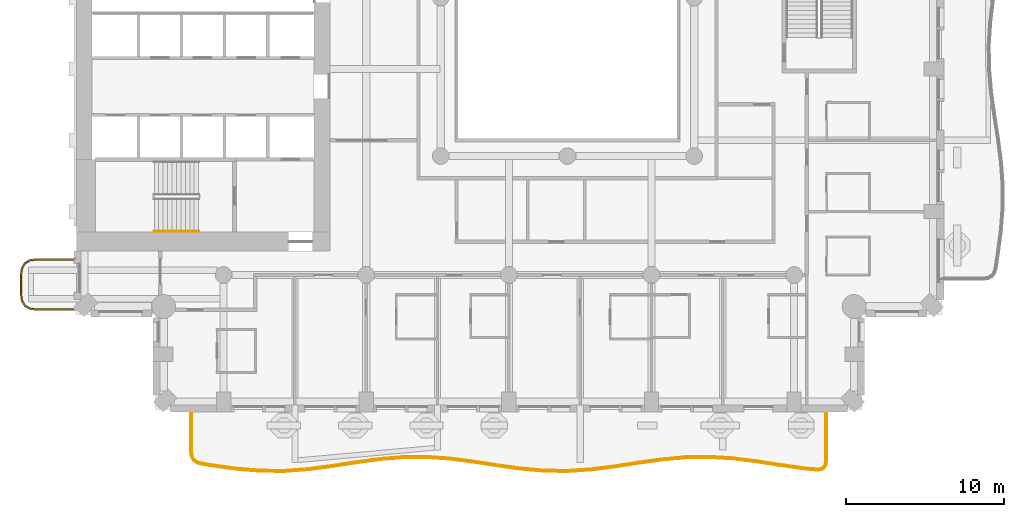
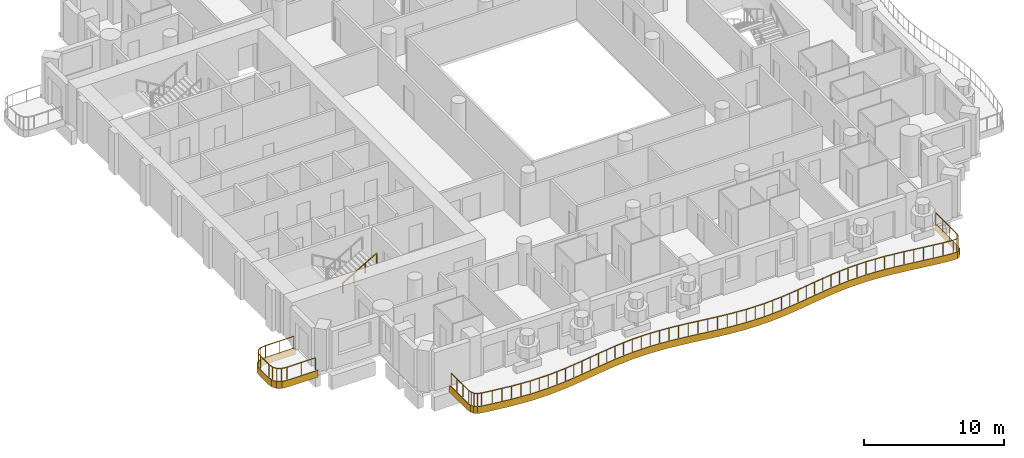
# One storey, part 13 of 20: 3 railings, 2 coverings.
"""IFC4 building model written with IfcOpenShell, lengths in metres."""

import ifcopenshell
import ifcopenshell.guid

model = None  # the IFC model being written
_history = None  # IfcOwnerHistory: only IFC2X3 demands one
_inside = {}  # id of a spatial element -> (the spatial element, [elements in it])
_under = {}  # id of a project, library or spatial element -> (it, [spatial elements below it])
_declared = {}  # id of a project -> (the project, [libraries it declares])
_typed = {}  # id of a type object -> (the type object, [elements of that type])
_made_of = {}  # id of a material, layer set ... -> (it, [elements and type objects made of it])


def new_model(schema):
    """Start an empty IFC model of exactly this schema.

    Asked for "IFC4X3", IfcOpenShell would pick the latest addendum, in which some entities
    have other attributes; the version numbers below select the first issue.
    IFC2X3 requires an IfcOwnerHistory on every rooted entity: one is made here for all.
    """
    global model, _history
    if schema == "IFC4X3":
        model = ifcopenshell.file(schema_version=(4, 3, 0, 0))
    else:
        model = ifcopenshell.file(schema=schema)
    _inside.clear()
    _under.clear()
    _declared.clear()
    _typed.clear()
    _made_of.clear()
    _history = None
    if model.schema == "IFC2X3":
        org = make("IfcOrganization", Name="unknown")
        user = make(
            "IfcPersonAndOrganization",
            ThePerson=make("IfcPerson", FamilyName="unknown"),
            TheOrganization=org,
        )
        app = make(
            "IfcApplication",
            ApplicationDeveloper=org,
            Version="unknown",
            ApplicationFullName="unknown",
            ApplicationIdentifier="unknown",
        )
        _history = make(
            "IfcOwnerHistory",
            OwningUser=user,
            OwningApplication=app,
            ChangeAction="ADDED",
            CreationDate=0,
        )
    return model


def make(cls, **values):
    """One entity of the class cls with the attributes given. An attribute that is None is left unset."""
    return model.create_entity(
        cls, **{name: value for name, value in values.items() if value is not None}
    )


def rooted(cls, **values):
    """An entity with a GlobalId (a new one), such as an element, a storey or a relation."""
    return make(cls, GlobalId=ifcopenshell.guid.new(), OwnerHistory=_history, **values)


def si_unit(unit_type, name, prefix=None):
    """IfcSIUnit, for example si_unit("LENGTHUNIT", "METRE", prefix="MILLI")."""
    return make("IfcSIUnit", UnitType=unit_type, Prefix=prefix, Name=name)


def assignment(units):
    """IfcUnitAssignment: the units of a project."""
    return None if units is None else make("IfcUnitAssignment", Units=units)


def point(xyz):
    """IfcCartesianPoint."""
    return None if xyz is None else make("IfcCartesianPoint", Coordinates=xyz)


def direction(xyz):
    """IfcDirection."""
    return None if xyz is None else make("IfcDirection", DirectionRatios=xyz)


def frame(location, z_axis=None, x_axis=None):
    """IfcAxis2Placement3D, a coordinate frame: its origin and axes. An axis left out is left unset."""
    return make(
        "IfcAxis2Placement3D",
        Location=point(location),
        Axis=direction(z_axis),
        RefDirection=direction(x_axis),
    )


def frame_2d(location, x_axis=None):
    """IfcAxis2Placement2D, a coordinate frame in the plane: its origin and x axis."""
    return make(
        "IfcAxis2Placement2D", Location=point(location), RefDirection=direction(x_axis)
    )


def origin():
    """The frame at (0, 0, 0) with its axes left unset."""
    return frame((0.0, 0.0, 0.0))


def origin_2d():
    """The frame at (0, 0) in the plane with its x axis left unset."""
    return frame_2d((0.0, 0.0))


def place(relative_to, where):
    """IfcLocalPlacement: puts the frame where relative to a parent placement (None: the world)."""
    return make(
        "IfcLocalPlacement", PlacementRelTo=relative_to, RelativePlacement=where
    )


def context(
    kind, dimensions, precision=None, world=None, true_north=None, identifier=None
):
    """IfcGeometricRepresentationContext, for example the 3D "Model" context."""
    return make(
        "IfcGeometricRepresentationContext",
        ContextIdentifier=identifier,
        ContextType=kind,
        CoordinateSpaceDimension=dimensions,
        Precision=precision,
        WorldCoordinateSystem=world,
        TrueNorth=true_north,
    )


def subcontext(parent, identifier, kind, view, scale=None):
    """IfcGeometricRepresentationSubContext, for example "Body" below "Model"."""
    return make(
        "IfcGeometricRepresentationSubContext",
        ContextIdentifier=identifier,
        ContextType=kind,
        ParentContext=parent,
        TargetScale=scale,
        TargetView=view,
    )


def project(units=None, contexts=None):
    """IfcProject with its units and contexts."""
    return rooted(
        "IfcProject",
        Name="project",
        RepresentationContexts=contexts,
        UnitsInContext=assignment(units),
    )


def spatial(cls, under=None, at=None, **own):
    """A site, building, storey or space (cls), placed at a placement, below another one or the project."""
    s = rooted(cls, ObjectPlacement=at, **own)
    if under is not None:
        _under.setdefault(under.id(), (under, []))[1].append(s)
    return s


def polyline(points):
    """IfcPolyline through the points."""
    return make("IfcPolyline", Points=[point(p) for p in points])


def profile(cls, at=None, kind="AREA", **sizes):
    """A parametric profile (cls). Its sizes go by their IFC names, for example OverallWidth=200.0."""
    return make(cls, ProfileType=kind, Position=at, **sizes)


def rectangle(**sizes):
    """IfcRectangleProfileDef."""
    return profile("IfcRectangleProfileDef", **sizes)


def outline(outer, holes=None, kind="AREA"):
    """IfcArbitraryClosedProfileDef: a profile drawn as a closed curve; with holes, ...WithVoids."""
    if holes is None:
        return make("IfcArbitraryClosedProfileDef", ProfileType=kind, OuterCurve=outer)
    return make(
        "IfcArbitraryProfileDefWithVoids",
        ProfileType=kind,
        OuterCurve=outer,
        InnerCurves=holes,
    )


def extrude(swept, where, along, depth):
    """IfcExtrudedAreaSolid: the profile swept, set in the frame where, extruded along a direction by depth."""
    return make(
        "IfcExtrudedAreaSolid",
        SweptArea=swept,
        Position=where,
        ExtrudedDirection=direction(along),
        Depth=depth,
    )


def shape(context_of_items, identifier, shape_type, items):
    """IfcShapeRepresentation: the items that make up one representation, for example the "Body"."""
    return make(
        "IfcShapeRepresentation",
        ContextOfItems=context_of_items,
        RepresentationIdentifier=identifier,
        RepresentationType=shape_type,
        Items=items,
    )


def material(Name=None, Category=None):
    """IfcMaterial."""
    return make("IfcMaterial", Name=Name, Category=Category)


def layer(
    of_material, thickness, ventilated=None, Name=None, Category=None, Priority=None
):
    """IfcMaterialLayer: one layer of a wall or slab, of a material (None: an air gap)."""
    return make(
        "IfcMaterialLayer",
        Material=of_material,
        LayerThickness=thickness,
        IsVentilated=ventilated,
        Name=Name,
        Category=Category,
        Priority=Priority,
    )


def layer_set(layers, Name=None):
    """IfcMaterialLayerSet."""
    return make("IfcMaterialLayerSet", MaterialLayers=layers, LayerSetName=Name)


def made_of(thing, what):
    """Note that an element or type object is made of a material, layer set ...; save() writes the relation."""
    if what is not None:
        _made_of.setdefault(what.id(), (what, []))[1].append(thing)
    return thing


def type_object(cls, material=None, **own):
    """A type object (cls), such as IfcWallType, which elements share."""
    return made_of(rooted(cls, **own), material)


def element(
    cls,
    number,
    at=None,
    inside=None,
    cuts=None,
    type_object=None,
    material=None,
    context=None,
    identifier="Body",
    shape_type=None,
    held_by="IfcProductDefinitionShape",
    body=None,
    shapes=None,
    **own,
):
    """One element of the class cls, such as IfcWall. Its Tag is "e" and its number.

    at: its placement. inside: the storey or other place that contains it. cuts: it is an
    opening in that element (IfcRelVoidsElement). A single representation is given by context,
    identifier, shape_type and body (its items); several are given by shapes. held_by: the class
    of the entity that holds the representations. save() writes the other relations.
    """
    e = rooted(cls, Tag="e%d" % number, ObjectPlacement=at, **own)
    if body is not None:
        shapes = [shape(context, identifier, shape_type, body)]
    if shapes is not None:
        e.Representation = make(held_by, Representations=shapes)
    if inside is not None:
        _inside.setdefault(inside.id(), (inside, []))[1].append(e)
    if cuts is not None:
        rooted(
            "IfcRelVoidsElement", RelatingBuildingElement=cuts, RelatedOpeningElement=e
        )
    if type_object is not None:
        _typed.setdefault(type_object.id(), (type_object, []))[1].append(e)
    return made_of(e, material)


def aggregate(whole, parts):
    """IfcRelAggregates: a whole, such as a stair, and the parts it consists of."""
    return rooted("IfcRelAggregates", RelatingObject=whole, RelatedObjects=parts)


def save(model, path):
    """Write the relations noted so far, then the file.

    IfcRelAggregates (storeys below a building ...), IfcRelContainedInSpatialStructure (elements
    in a storey), IfcRelDefinesByType, IfcRelAssociatesMaterial and IfcRelDeclares: one each for
    every whole, place, type object, material and project.
    """
    for whole, parts in _under.values():
        aggregate(whole, parts)
    for where, things in _inside.values():
        rooted(
            "IfcRelContainedInSpatialStructure",
            RelatedElements=things,
            RelatingStructure=where,
        )
    for kind, things in _typed.values():
        rooted("IfcRelDefinesByType", RelatedObjects=things, RelatingType=kind)
    for what, things in _made_of.values():
        rooted("IfcRelAssociatesMaterial", RelatedObjects=things, RelatingMaterial=what)
    for by, libraries in _declared.values():
        rooted("IfcRelDeclares", RelatingContext=by, RelatedDefinitions=libraries)
    model.write(path)


model = new_model("IFC4")

# Units and contexts
model_context = context("Model", 3, precision=1e-05, world=origin(), true_north=direction((0.0, 1.0)))
body_context = subcontext(model_context, "Body", "Model", "MODEL_VIEW")
ifc_project = project(units=[si_unit("LENGTHUNIT", "METRE"), si_unit("AREAUNIT", "SQUARE_METRE"), si_unit("VOLUMEUNIT", "CUBIC_METRE"), si_unit("PLANEANGLEUNIT", "RADIAN"), si_unit("MASSUNIT", "GRAM", prefix="KILO")], contexts=[model_context])

# Site, building, storey
site_placement = place(None, origin())
site = spatial("IfcSite", under=ifc_project, at=site_placement, CompositionType="ELEMENT")
building_placement = place(site_placement, origin())
building = spatial("IfcBuilding", under=site, at=building_placement, Name="Cypress Arch Tower", CompositionType="ELEMENT")
storey_placement = place(building_placement, frame((0.0, 0.0, 113.10009765625)))
storey = spatial("IfcBuildingStorey", under=building, at=storey_placement, Name="L23", CompositionType="ELEMENT", Elevation=113.10009765625)

# Coverings
ifc_material_1 = material(Name="White powder-coated aluminium fascia", Category="aluminium")
ifc_layer = layer(ifc_material_1, 0.050048828125)
ifc_layer_set = layer_set([ifc_layer], Name="Balcony fascia BF50")
covering_type = type_object("IfcCoveringType", Name="Balcony fascia BF50", PredefinedType="CLADDING", material=ifc_layer_set)
covering_1_placement = place(storey_placement, frame((0.0, 0.0, -0.60009765625)))
element("IfcCovering", 1, at=covering_1_placement, inside=storey, type_object=covering_type, Name="Balcony fascia L23-A00W1", PredefinedType="CLADDING", context=body_context, shape_type="SweptSolid", body=[
    extrude(outline(polyline([(-32.503662109375, -19.75), (-32.95458984375, -19.685546875), (-33.286376953125, -19.486328125), (-33.485595703125, -19.154541015625), (-33.550048828125, -18.70361328125), (-33.550048828125, -17.496337890625), (-33.485595703125, -17.04541015625), (-33.286376953125, -16.713623046875), (-32.95458984375, -16.514404296875), (-32.503662109375, -16.449951171875), (-30.0009765625, -16.449951171875), (-30.0009765625, -16.5), (-32.5, -16.5), (-32.9375, -16.5625), (-33.25, -16.75), (-33.4375, -17.0625), (-33.5, -17.5), (-33.5, -18.699951171875), (-33.4375, -19.137451171875), (-33.25, -19.449951171875), (-32.9375, -19.637451171875), (-32.5, -19.699951171875), (-30.0009765625, -19.699951171875), (-30.0009765625, -19.75), (-32.503662109375, -19.75)])), origin(), (0.0, 0.0, 1.0), 0.60009765625),
])
covering_2_placement = place(storey_placement, frame((0.0, 0.0, -0.60009765625)))
element("IfcCovering", 2, at=covering_2_placement, inside=storey, type_object=covering_type, Name="Balcony fascia L23-A03", PredefinedType="CLADDING", context=body_context, shape_type="SweptSolid", body=[
    extrude(outline(polyline([(17.39990234375, -29.196533203125), (17.356201171875, -29.500244140625), (17.2177734375, -29.71875), (16.987060546875, -29.8359375), (16.680419921875, -29.8505859375), (15.85888671875, -29.772216796875), (14.372314453125, -29.558837890625), (12.887451171875, -29.330078125), (11.404541015625, -29.14599609375), (9.9228515625, -29.054931640625), (8.441650390625, -29.08056640625), (6.95947265625, -29.216064453125), (5.475830078125, -29.42626953125), (3.990234375, -29.65576171875), (2.5029296875, -29.8447265625), (1.014404296875, -29.94287109375), (-0.474609375, -29.92431640625), (-1.963134765625, -29.7939453125), (-3.449951171875, -29.58642578125), (-4.934814453125, -29.356201171875), (-6.41796875, -29.1640625), (-7.899658203125, -29.059814453125), (-9.381103515625, -29.0712890625), (-10.863037109375, -29.195068359375), (-12.346435546875, -29.39892578125), (-13.831787109375, -29.62939453125), (-15.31884765625, -29.826171875), (-16.807373046875, -29.93701171875), (-18.29638671875, -29.932861328125), (-19.784912109375, -29.814697265625), (-21.27197265625, -29.61376953125), (-22.0927734375, -29.486328125), (-22.397216796875, -29.39501953125), (-22.621826171875, -29.2236328125), (-22.756591796875, -28.975341796875), (-22.800048828125, -28.66064453125), (-22.800048828125, -26.0009765625), (-22.75, -26.0009765625), (-22.75, -28.6572265625), (-22.708251953125, -28.95947265625), (-22.5830078125, -29.1904296875), (-22.3740234375, -29.349609375), (-22.081787109375, -29.437255859375), (-21.264892578125, -29.564208984375), (-19.779541015625, -29.764892578125), (-18.29443359375, -29.8828125), (-16.809326171875, -29.886962890625), (-15.323974609375, -29.7763671875), (-13.8388671875, -29.579833984375), (-12.353759765625, -29.349365234375), (-10.868408203125, -29.145263671875), (-9.38330078125, -29.021240234375), (-7.898193359375, -29.010009765625), (-6.412841796875, -29.1142578125), (-4.927734375, -29.306884765625), (-3.442626953125, -29.537109375), (-1.95751953125, -29.744384765625), (-0.47216796875, -29.874267578125), (1.012939453125, -29.892822265625), (2.498046875, -29.794921875), (3.9833984375, -29.6064453125), (5.468505859375, -29.376708984375), (6.95361328125, -29.166259765625), (8.43896484375, -29.030517578125), (9.924072265625, -29.0048828125), (11.4091796875, -29.09619140625), (12.89453125, -29.280517578125), (14.379638671875, -29.509521484375), (15.86474609375, -29.72265625), (16.681640625, -29.800537109375), (16.97412109375, -29.786376953125), (17.182861328125, -29.680419921875), (17.308349609375, -29.482666015625), (17.35009765625, -29.19287109375), (17.35009765625, -26.0009765625), (17.39990234375, -26.0009765625), (17.39990234375, -29.196533203125)])), origin(), (0.0, 0.0, 1.0), 0.60009765625),
])

# Railings
ifc_material_2 = material(Name="Powder-coated steel posts and rods, 100 mm clear between rods", Category="steel")
railing_type_1 = type_object("IfcRailingType", Name="Balcony guard GR1100", PredefinedType="GUARDRAIL", material=ifc_material_2)
railing_1_placement = place(storey_placement, frame((-30.14990234375, -19.64990234375, 0.0)))
element("IfcRailing", 3, at=railing_1_placement, inside=storey, type_object=railing_type_1, Name="Balcony guard L23-A00W1", PredefinedType="GUARDRAIL", context=body_context, shape_type="SweptSolid", body=[
    extrude(rectangle(XDim=0.050048828125, YDim=0.050048828125, at=origin_2d()), frame((0.0, 0.0, 1.0751953125), z_axis=(-1.0, 0.0, 0.0), x_axis=(0.0, -1.0, 0.0)), (0.0, 0.0, 1.0), 2.346435546875),
    extrude(rectangle(XDim=0.050048828125, YDim=0.050048828125, at=origin_2d()), frame((-2.346435546875, 0.0, 1.0751953125), z_axis=(-0.989960888959, 0.141341566184, 0.0), x_axis=(-0.141341566184, -0.989960888959, 0.0)), (0.0, 0.0, 1.0), 0.428466796875),
    extrude(rectangle(XDim=0.050048828125, YDim=0.050048828125, at=origin_2d()), frame((-2.7705078125, 0.060546875, 1.0751953125), z_axis=(-0.857681904839, 0.514180659021, 0.0), x_axis=(-0.514180659021, -0.857681904839, 0.0)), (0.0, 0.0, 1.0), 0.341796875),
    extrude(rectangle(XDim=0.050048828125, YDim=0.050048828125, at=origin_2d()), frame((-3.063720703125, 0.236328125, 1.0751953125), z_axis=(-0.514180659021, 0.857681904839, 0.0), x_axis=(-0.857681904839, -0.514180659021, 0.0)), (0.0, 0.0, 1.0), 0.341796875),
    extrude(rectangle(XDim=0.050048828125, YDim=0.050048828125, at=origin_2d()), frame((-3.239501953125, 0.529541015625, 1.0751953125), z_axis=(-0.141421356237, 0.989949493661, 0.0), x_axis=(-0.989949493661, -0.141421356237, 0.0)), (0.0, 0.0, 1.0), 0.42822265625),
    extrude(rectangle(XDim=0.050048828125, YDim=0.050048828125, at=origin_2d()), frame((-3.300048828125, 0.953369140625, 1.0751953125), z_axis=(0.0, 1.0, 0.0), x_axis=(-1.0, 0.0, 0.0)), (0.0, 0.0, 1.0), 1.19287109375),
    extrude(rectangle(XDim=0.050048828125, YDim=0.050048828125, at=origin_2d()), frame((-3.300048828125, 2.146240234375, 1.0751953125), z_axis=(0.141341566184, 0.989960888959, 0.0), x_axis=(-0.989960888959, 0.141341566184, 0.0)), (0.0, 0.0, 1.0), 0.428466796875),
    extrude(rectangle(XDim=0.050048828125, YDim=0.050048828125, at=origin_2d()), frame((-3.239501953125, 2.5703125, 1.0751953125), z_axis=(0.514180659021, 0.857681904839, 0.0), x_axis=(-0.857681904839, 0.514180659021, 0.0)), (0.0, 0.0, 1.0), 0.341796875),
    extrude(rectangle(XDim=0.050048828125, YDim=0.050048828125, at=origin_2d()), frame((-3.063720703125, 2.863525390625, 1.0751953125), z_axis=(0.857681904839, 0.514180659021, 0.0), x_axis=(-0.514180659021, 0.857681904839, 0.0)), (0.0, 0.0, 1.0), 0.341796875),
    extrude(rectangle(XDim=0.050048828125, YDim=0.050048828125, at=origin_2d()), frame((-2.7705078125, 3.039306640625, 1.0751953125), z_axis=(0.989960888959, 0.141341566184, 0.0), x_axis=(-0.141341566184, 0.989960888959, 0.0)), (0.0, 0.0, 1.0), 0.428466796875),
    extrude(rectangle(XDim=0.050048828125, YDim=0.050048828125, at=origin_2d()), frame((-2.346435546875, 3.099853515625, 1.0751953125), z_axis=(1.0, 0.0, 0.0), x_axis=(0.0, 1.0, 0.0)), (0.0, 0.0, 1.0), 2.346435546875),
    extrude(rectangle(XDim=0.0400390625, YDim=0.0400390625, at=origin_2d()), origin(), (0.0, 0.0, 1.0), 1.050048828125),
    extrude(rectangle(XDim=0.0400390625, YDim=0.0400390625, at=origin_2d()), frame((-1.17333984375, 0.0, 0.0)), (0.0, 0.0, 1.0), 1.050048828125),
    extrude(rectangle(XDim=0.0400390625, YDim=0.0400390625, at=origin_2d()), frame((-2.346435546875, 0.0, 0.0)), (0.0, 0.0, 1.0), 1.050048828125),
    extrude(rectangle(XDim=0.0400390625, YDim=0.0400390625, at=origin_2d()), frame((-2.7705078125, 0.060546875, 0.0)), (0.0, 0.0, 1.0), 1.050048828125),
    extrude(rectangle(XDim=0.0400390625, YDim=0.0400390625, at=origin_2d()), frame((-3.063720703125, 0.236328125, 0.0)), (0.0, 0.0, 1.0), 1.050048828125),
    extrude(rectangle(XDim=0.0400390625, YDim=0.0400390625, at=origin_2d()), frame((-3.239501953125, 0.529541015625, 0.0)), (0.0, 0.0, 1.0), 1.050048828125),
    extrude(rectangle(XDim=0.0400390625, YDim=0.0400390625, at=origin_2d()), frame((-3.300048828125, 0.953369140625, 0.0)), (0.0, 0.0, 1.0), 1.050048828125),
    extrude(rectangle(XDim=0.0400390625, YDim=0.0400390625, at=origin_2d()), frame((-3.300048828125, 2.146240234375, 0.0)), (0.0, 0.0, 1.0), 1.050048828125),
    extrude(rectangle(XDim=0.0400390625, YDim=0.0400390625, at=origin_2d()), frame((-3.239501953125, 2.5703125, 0.0)), (0.0, 0.0, 1.0), 1.050048828125),
    extrude(rectangle(XDim=0.0400390625, YDim=0.0400390625, at=origin_2d()), frame((-3.063720703125, 2.863525390625, 0.0)), (0.0, 0.0, 1.0), 1.050048828125),
    extrude(rectangle(XDim=0.0400390625, YDim=0.0400390625, at=origin_2d()), frame((-2.7705078125, 3.039306640625, 0.0)), (0.0, 0.0, 1.0), 1.050048828125),
    extrude(rectangle(XDim=0.0400390625, YDim=0.0400390625, at=origin_2d()), frame((-2.346435546875, 3.099853515625, 0.0)), (0.0, 0.0, 1.0), 1.050048828125),
    extrude(rectangle(XDim=0.0400390625, YDim=0.0400390625, at=origin_2d()), frame((-1.17333984375, 3.099853515625, 0.0)), (0.0, 0.0, 1.0), 1.050048828125),
    extrude(rectangle(XDim=0.0400390625, YDim=0.0400390625, at=origin_2d()), frame((0.0, 3.099853515625, 0.0)), (0.0, 0.0, 1.0), 1.050048828125),
])
railing_2_placement = place(storey_placement, frame((17.300048828125, -26.14990234375, 0.0)))
element("IfcRailing", 4, at=railing_2_placement, inside=storey, type_object=railing_type_1, Name="Balcony guard L23-A03", PredefinedType="GUARDRAIL", context=body_context, shape_type="SweptSolid", body=[
    extrude(rectangle(XDim=0.050048828125, YDim=0.050048828125, at=origin_2d()), frame((0.0, 0.0, 1.0751953125), z_axis=(0.0, -1.0, 0.0), x_axis=(1.0, 0.0, 0.0)), (0.0, 0.0, 1.0), 3.039306640625),
    extrude(rectangle(XDim=0.050048828125, YDim=0.050048828125, at=origin_2d()), frame((0.0, -3.039306640625, 1.0751953125), z_axis=(-0.142893971958, -0.989738002088, 0.0), x_axis=(0.989738002088, -0.142893971958, 0.0)), (0.0, 0.0, 1.0), 0.278564453125),
    extrude(rectangle(XDim=0.050048828125, YDim=0.050048828125, at=origin_2d()), frame((-0.039794921875, -3.31494140625, 1.0751953125), z_axis=(-0.53521815585, -0.844713872059, 0.0), x_axis=(0.844713872059, -0.53521815585, 0.0)), (0.0, 0.0, 1.0), 0.209716796875),
    extrude(rectangle(XDim=0.050048828125, YDim=0.050048828125, at=origin_2d()), frame((-0.152099609375, -3.4921875, 1.0751953125), z_axis=(-0.891616164961, -0.452792021109, 0.0), x_axis=(0.452792021109, -0.891616164961, 0.0)), (0.0, 0.0, 1.0), 0.209716796875),
    extrude(rectangle(XDim=0.050048828125, YDim=0.050048828125, at=origin_2d()), frame((-0.339111328125, -3.587158203125, 1.0751953125), z_axis=(-0.99883617079, -0.048231772953, 0.0), x_axis=(0.048231772953, -0.99883617079, 0.0)), (0.0, 0.0, 1.0), 0.2783203125),
    extrude(rectangle(XDim=0.050048828125, YDim=0.050048828125, at=origin_2d()), frame((-0.6171875, -3.6005859375, 1.0751953125), z_axis=(-0.995488744132, 0.09487971494, 0.0), x_axis=(-0.09487971494, -0.995488744132, 0.0)), (0.0, 0.0, 1.0), 0.815673828125),
    extrude(rectangle(XDim=0.050048828125, YDim=0.050048828125, at=origin_2d()), frame((-1.42919921875, -3.523193359375, 1.0751953125), z_axis=(-0.989841722456, 0.142173712357, 0.0), x_axis=(-0.142173712357, -0.989841722456, 0.0)), (0.0, 0.0, 1.0), 1.4990234375),
    extrude(rectangle(XDim=0.050048828125, YDim=0.050048828125, at=origin_2d()), frame((-2.9130859375, -3.31005859375, 1.0751953125), z_axis=(-0.988351033436, 0.152191440974, 0.0), x_axis=(-0.152191440974, -0.988351033436, 0.0)), (0.0, 0.0, 1.0), 1.503173828125),
    extrude(rectangle(XDim=0.050048828125, YDim=0.050048828125, at=origin_2d()), frame((-4.398681640625, -3.081298828125, 1.0751953125), z_axis=(-0.992370310456, 0.123293012476, 0.0), x_axis=(-0.123293012476, -0.992370310456, 0.0)), (0.0, 0.0, 1.0), 1.4990234375),
    extrude(rectangle(XDim=0.050048828125, YDim=0.050048828125, at=origin_2d()), frame((-5.88623046875, -2.896484375, 1.0751953125), z_axis=(-0.998113876628, 0.061389651261, 0.0), x_axis=(-0.061389651261, -0.998113876628, 0.0)), (0.0, 0.0, 1.0), 1.491455078125),
    extrude(rectangle(XDim=0.050048828125, YDim=0.050048828125, at=origin_2d()), frame((-7.374755859375, -2.804931640625, 1.0751953125), z_axis=(-0.99985183869, -0.017213386303, 0.0), x_axis=(0.017213386303, -0.99985183869, 0.0)), (0.0, 0.0, 1.0), 1.4892578125),
    extrude(rectangle(XDim=0.050048828125, YDim=0.050048828125, at=origin_2d()), frame((-8.86376953125, -2.83056640625, 1.0751953125), z_axis=(-0.99583677597, -0.091154350556, 0.0), x_axis=(0.091154350556, -0.99583677597, 0.0)), (0.0, 0.0, 1.0), 1.494384765625),
    extrude(rectangle(XDim=0.050048828125, YDim=0.050048828125, at=origin_2d()), frame((-10.35205078125, -2.966796875, 1.0751953125), z_axis=(-0.990108193161, -0.1403059722, 0.0), x_axis=(0.1403059722, -0.990108193161, 0.0)), (0.0, 0.0, 1.0), 1.501708984375),
    extrude(rectangle(XDim=0.050048828125, YDim=0.050048828125, at=origin_2d()), frame((-11.8388671875, -3.177490234375, 1.0751953125), z_axis=(-0.988266265066, -0.152740922256, 0.0), x_axis=(0.152740922256, -0.988266265066, 0.0)), (0.0, 0.0, 1.0), 1.50244140625),
    extrude(rectangle(XDim=0.050048828125, YDim=0.050048828125, at=origin_2d()), frame((-13.32373046875, -3.406982421875, 1.0751953125), z_axis=(-0.992039883626, -0.125924061619, 0.0), x_axis=(0.125924061619, -0.992039883626, 0.0)), (0.0, 0.0, 1.0), 1.494873046875),
    extrude(rectangle(XDim=0.050048828125, YDim=0.050048828125, at=origin_2d()), frame((-14.806640625, -3.59521484375, 1.0751953125), z_axis=(-0.997835071273, -0.065766028754, 0.0), x_axis=(0.065766028754, -0.997835071273, 0.0)), (0.0, 0.0, 1.0), 1.48486328125),
    extrude(rectangle(XDim=0.050048828125, YDim=0.050048828125, at=origin_2d()), frame((-16.288330078125, -3.69287109375, 1.0751953125), z_axis=(-0.999923624928, 0.012358976907, 0.0), x_axis=(-0.012358976907, -0.999923624928, 0.0)), (0.0, 0.0, 1.0), 1.4814453125),
    extrude(rectangle(XDim=0.050048828125, YDim=0.050048828125, at=origin_2d()), frame((-17.769775390625, -3.674560546875, 1.0751953125), z_axis=(-0.996181237678, 0.087309459381, 0.0), x_axis=(-0.087309459381, -0.996181237678, 0.0)), (0.0, 0.0, 1.0), 1.487548828125),
    extrude(rectangle(XDim=0.050048828125, YDim=0.050048828125, at=origin_2d()), frame((-19.251708984375, -3.544677734375, 1.0751953125), z_axis=(-0.990403857826, 0.138203467408, 0.0), x_axis=(-0.138203467408, -0.990403857826, 0.0)), (0.0, 0.0, 1.0), 1.498046875),
    extrude(rectangle(XDim=0.050048828125, YDim=0.050048828125, at=origin_2d()), frame((-20.7353515625, -3.337646484375, 1.0751953125), z_axis=(-0.988200197594, 0.153167782106, 0.0), x_axis=(-0.153167782106, -0.988200197594, 0.0)), (0.0, 0.0, 1.0), 1.503173828125),
    extrude(rectangle(XDim=0.050048828125, YDim=0.050048828125, at=origin_2d()), frame((-22.220703125, -3.107421875, 1.0751953125), z_axis=(-0.991696356419, 0.128601464473, 0.0), x_axis=(-0.128601464473, -0.991696356419, 0.0)), (0.0, 0.0, 1.0), 1.499755859375),
    extrude(rectangle(XDim=0.050048828125, YDim=0.050048828125, at=origin_2d()), frame((-23.7080078125, -2.91455078125, 1.0751953125), z_axis=(-0.997545157286, 0.070026132084, 0.0), x_axis=(-0.070026132084, -0.997545157286, 0.0)), (0.0, 0.0, 1.0), 1.4921875),
    extrude(rectangle(XDim=0.050048828125, YDim=0.050048828125, at=origin_2d()), frame((-25.196533203125, -2.81005859375, 1.0751953125), z_axis=(-0.999971558672, -0.007542005525, 0.0), x_axis=(0.007542005525, -0.999971558672, 0.0)), (0.0, 0.0, 1.0), 1.489013671875),
    extrude(rectangle(XDim=0.050048828125, YDim=0.050048828125, at=origin_2d()), frame((-26.685546875, -2.8212890625, 1.0751953125), z_axis=(-0.996533347747, -0.083194271609, 0.0), x_axis=(0.083194271609, -0.996533347747, 0.0)), (0.0, 0.0, 1.0), 1.49365234375),
    extrude(rectangle(XDim=0.050048828125, YDim=0.050048828125, at=origin_2d()), frame((-28.174072265625, -2.945556640625, 1.0751953125), z_axis=(-0.990687070294, -0.136158469267, 0.0), x_axis=(0.136158469267, -0.990687070294, 0.0)), (0.0, 0.0, 1.0), 1.500732421875),
    extrude(rectangle(XDim=0.050048828125, YDim=0.050048828125, at=origin_2d()), frame((-29.660888671875, -3.14990234375, 1.0751953125), z_axis=(-0.988147152264, -0.153509626646, 0.0), x_axis=(0.153509626646, -0.988147152264, 0.0)), (0.0, 0.0, 1.0), 1.5029296875),
    extrude(rectangle(XDim=0.050048828125, YDim=0.050048828125, at=origin_2d()), frame((-31.14599609375, -3.380615234375, 1.0751953125), z_axis=(-0.991376915113, -0.131041261372, 0.0), x_axis=(0.131041261372, -0.991376915113, 0.0)), (0.0, 0.0, 1.0), 1.49609375),
    extrude(rectangle(XDim=0.050048828125, YDim=0.050048828125, at=origin_2d()), frame((-32.629150390625, -3.57666015625, 1.0751953125), z_axis=(-0.997238990174, -0.074258982464, 0.0), x_axis=(0.074258982464, -0.997238990174, 0.0)), (0.0, 0.0, 1.0), 1.486083984375),
    extrude(rectangle(XDim=0.050048828125, YDim=0.050048828125, at=origin_2d()), frame((-34.111083984375, -3.68701171875, 1.0751953125), z_axis=(-0.999996075592, 0.002801571075, 0.0), x_axis=(-0.002801571075, -0.999996075592, 0.0)), (0.0, 0.0, 1.0), 1.4814453125),
    extrude(rectangle(XDim=0.050048828125, YDim=0.050048828125, at=origin_2d()), frame((-35.592529296875, -3.682861328125, 1.0751953125), z_axis=(-0.996862102227, 0.07915774848, 0.0), x_axis=(-0.07915774848, -0.996862102227, 0.0)), (0.0, 0.0, 1.0), 1.486572265625),
    extrude(rectangle(XDim=0.050048828125, YDim=0.050048828125, at=origin_2d()), frame((-37.074462890625, -3.565185546875, 1.0751953125), z_axis=(-0.990991260171, 0.13392655549, 0.0), x_axis=(-0.13392655549, -0.990991260171, 0.0)), (0.0, 0.0, 1.0), 1.49658203125),
    extrude(rectangle(XDim=0.050048828125, YDim=0.050048828125, at=origin_2d()), frame((-38.5576171875, -3.36474609375, 1.0751953125), z_axis=(-0.988161496263, 0.153417265336, 0.0), x_axis=(-0.153417265336, -0.988161496263, 0.0)), (0.0, 0.0, 1.0), 0.82275390625),
    extrude(rectangle(XDim=0.050048828125, YDim=0.050048828125, at=origin_2d()), frame((-39.37060546875, -3.238525390625, 1.0751953125), z_axis=(-0.95798676764, 0.286812400407, 0.0), x_axis=(-0.286812400407, -0.95798676764, 0.0)), (0.0, 0.0, 1.0), 0.292724609375),
    extrude(rectangle(XDim=0.050048828125, YDim=0.050048828125, at=origin_2d()), frame((-39.651123046875, -3.154541015625, 1.0751953125), z_axis=(-0.795270135642, 0.606255236147, 0.0), x_axis=(-0.606255236147, -0.795270135642, 0.0)), (0.0, 0.0, 1.0), 0.242919921875),
    extrude(rectangle(XDim=0.050048828125, YDim=0.050048828125, at=origin_2d()), frame((-39.84423828125, -3.00732421875, 1.0751953125), z_axis=(-0.476315520354, 0.879274431034, 0.0), x_axis=(-0.879274431034, -0.476315520354, 0.0)), (0.0, 0.0, 1.0), 0.242919921875),
    extrude(rectangle(XDim=0.050048828125, YDim=0.050048828125, at=origin_2d()), frame((-39.9599609375, -2.793701171875, 1.0751953125), z_axis=(-0.136863311336, 0.990589942413, 0.0), x_axis=(-0.990589942413, -0.136863311336, 0.0)), (0.0, 0.0, 1.0), 0.29248046875),
    extrude(rectangle(XDim=0.050048828125, YDim=0.050048828125, at=origin_2d()), frame((-40.0, -2.50390625, 1.0751953125), z_axis=(0.0, 1.0, 0.0), x_axis=(-1.0, 0.0, 0.0)), (0.0, 0.0, 1.0), 2.50390625),
    extrude(rectangle(XDim=0.0400390625, YDim=0.0400390625, at=origin_2d()), origin(), (0.0, 0.0, 1.0), 1.050048828125),
    extrude(rectangle(XDim=0.0400390625, YDim=0.0400390625, at=origin_2d()), frame((0.0, -1.01318359375, 0.0)), (0.0, 0.0, 1.0), 1.050048828125),
    extrude(rectangle(XDim=0.0400390625, YDim=0.0400390625, at=origin_2d()), frame((0.0, -2.026123046875, 0.0)), (0.0, 0.0, 1.0), 1.050048828125),
    extrude(rectangle(XDim=0.0400390625, YDim=0.0400390625, at=origin_2d()), frame((0.0, -3.039306640625, 0.0)), (0.0, 0.0, 1.0), 1.050048828125),
    extrude(rectangle(XDim=0.0400390625, YDim=0.0400390625, at=origin_2d()), frame((-0.039794921875, -3.31494140625, 0.0)), (0.0, 0.0, 1.0), 1.050048828125),
    extrude(rectangle(XDim=0.0400390625, YDim=0.0400390625, at=origin_2d()), frame((-0.152099609375, -3.4921875, 0.0)), (0.0, 0.0, 1.0), 1.050048828125),
    extrude(rectangle(XDim=0.0400390625, YDim=0.0400390625, at=origin_2d()), frame((-0.339111328125, -3.587158203125, 0.0)), (0.0, 0.0, 1.0), 1.050048828125),
    extrude(rectangle(XDim=0.0400390625, YDim=0.0400390625, at=origin_2d()), frame((-0.6171875, -3.6005859375, 0.0)), (0.0, 0.0, 1.0), 1.050048828125),
    extrude(rectangle(XDim=0.0400390625, YDim=0.0400390625, at=origin_2d()), frame((-1.42919921875, -3.523193359375, 0.0)), (0.0, 0.0, 1.0), 1.050048828125),
    extrude(rectangle(XDim=0.0400390625, YDim=0.0400390625, at=origin_2d()), frame((-2.171142578125, -3.41650390625, 0.0)), (0.0, 0.0, 1.0), 1.050048828125),
    extrude(rectangle(XDim=0.0400390625, YDim=0.0400390625, at=origin_2d()), frame((-2.9130859375, -3.31005859375, 0.0)), (0.0, 0.0, 1.0), 1.050048828125),
    extrude(rectangle(XDim=0.0400390625, YDim=0.0400390625, at=origin_2d()), frame((-3.65576171875, -3.19580078125, 0.0)), (0.0, 0.0, 1.0), 1.050048828125),
    extrude(rectangle(XDim=0.0400390625, YDim=0.0400390625, at=origin_2d()), frame((-4.398681640625, -3.081298828125, 0.0)), (0.0, 0.0, 1.0), 1.050048828125),
    extrude(rectangle(XDim=0.0400390625, YDim=0.0400390625, at=origin_2d()), frame((-5.142578125, -2.98876953125, 0.0)), (0.0, 0.0, 1.0), 1.050048828125),
    extrude(rectangle(XDim=0.0400390625, YDim=0.0400390625, at=origin_2d()), frame((-5.88623046875, -2.896484375, 0.0)), (0.0, 0.0, 1.0), 1.050048828125),
    extrude(rectangle(XDim=0.0400390625, YDim=0.0400390625, at=origin_2d()), frame((-6.63037109375, -2.8505859375, 0.0)), (0.0, 0.0, 1.0), 1.050048828125),
    extrude(rectangle(XDim=0.0400390625, YDim=0.0400390625, at=origin_2d()), frame((-7.374755859375, -2.804931640625, 0.0)), (0.0, 0.0, 1.0), 1.050048828125),
    extrude(rectangle(XDim=0.0400390625, YDim=0.0400390625, at=origin_2d()), frame((-8.119140625, -2.81787109375, 0.0)), (0.0, 0.0, 1.0), 1.050048828125),
    extrude(rectangle(XDim=0.0400390625, YDim=0.0400390625, at=origin_2d()), frame((-8.86376953125, -2.83056640625, 0.0)), (0.0, 0.0, 1.0), 1.050048828125),
    extrude(rectangle(XDim=0.0400390625, YDim=0.0400390625, at=origin_2d()), frame((-9.60791015625, -2.898681640625, 0.0)), (0.0, 0.0, 1.0), 1.050048828125),
    extrude(rectangle(XDim=0.0400390625, YDim=0.0400390625, at=origin_2d()), frame((-10.35205078125, -2.966796875, 0.0)), (0.0, 0.0, 1.0), 1.050048828125),
    extrude(rectangle(XDim=0.0400390625, YDim=0.0400390625, at=origin_2d()), frame((-11.095458984375, -3.072265625, 0.0)), (0.0, 0.0, 1.0), 1.050048828125),
    extrude(rectangle(XDim=0.0400390625, YDim=0.0400390625, at=origin_2d()), frame((-11.8388671875, -3.177490234375, 0.0)), (0.0, 0.0, 1.0), 1.050048828125),
    extrude(rectangle(XDim=0.0400390625, YDim=0.0400390625, at=origin_2d()), frame((-12.581298828125, -3.292236328125, 0.0)), (0.0, 0.0, 1.0), 1.050048828125),
    extrude(rectangle(XDim=0.0400390625, YDim=0.0400390625, at=origin_2d()), frame((-13.32373046875, -3.406982421875, 0.0)), (0.0, 0.0, 1.0), 1.050048828125),
    extrude(rectangle(XDim=0.0400390625, YDim=0.0400390625, at=origin_2d()), frame((-14.065185546875, -3.5009765625, 0.0)), (0.0, 0.0, 1.0), 1.050048828125),
    extrude(rectangle(XDim=0.0400390625, YDim=0.0400390625, at=origin_2d()), frame((-14.806640625, -3.59521484375, 0.0)), (0.0, 0.0, 1.0), 1.050048828125),
    extrude(rectangle(XDim=0.0400390625, YDim=0.0400390625, at=origin_2d()), frame((-15.54736328125, -3.64404296875, 0.0)), (0.0, 0.0, 1.0), 1.050048828125),
    extrude(rectangle(XDim=0.0400390625, YDim=0.0400390625, at=origin_2d()), frame((-16.288330078125, -3.69287109375, 0.0)), (0.0, 0.0, 1.0), 1.050048828125),
    extrude(rectangle(XDim=0.0400390625, YDim=0.0400390625, at=origin_2d()), frame((-17.029052734375, -3.68359375, 0.0)), (0.0, 0.0, 1.0), 1.050048828125),
    extrude(rectangle(XDim=0.0400390625, YDim=0.0400390625, at=origin_2d()), frame((-17.769775390625, -3.674560546875, 0.0)), (0.0, 0.0, 1.0), 1.050048828125),
    extrude(rectangle(XDim=0.0400390625, YDim=0.0400390625, at=origin_2d()), frame((-18.5107421875, -3.609619140625, 0.0)), (0.0, 0.0, 1.0), 1.050048828125),
    extrude(rectangle(XDim=0.0400390625, YDim=0.0400390625, at=origin_2d()), frame((-19.251708984375, -3.544677734375, 0.0)), (0.0, 0.0, 1.0), 1.050048828125),
    extrude(rectangle(XDim=0.0400390625, YDim=0.0400390625, at=origin_2d()), frame((-19.99365234375, -3.441162109375, 0.0)), (0.0, 0.0, 1.0), 1.050048828125),
    extrude(rectangle(XDim=0.0400390625, YDim=0.0400390625, at=origin_2d()), frame((-20.7353515625, -3.337646484375, 0.0)), (0.0, 0.0, 1.0), 1.050048828125),
    extrude(rectangle(XDim=0.0400390625, YDim=0.0400390625, at=origin_2d()), frame((-21.47802734375, -3.22265625, 0.0)), (0.0, 0.0, 1.0), 1.050048828125),
    extrude(rectangle(XDim=0.0400390625, YDim=0.0400390625, at=origin_2d()), frame((-22.220703125, -3.107421875, 0.0)), (0.0, 0.0, 1.0), 1.050048828125),
    extrude(rectangle(XDim=0.0400390625, YDim=0.0400390625, at=origin_2d()), frame((-22.96435546875, -3.010986328125, 0.0)), (0.0, 0.0, 1.0), 1.050048828125),
    extrude(rectangle(XDim=0.0400390625, YDim=0.0400390625, at=origin_2d()), frame((-23.7080078125, -2.91455078125, 0.0)), (0.0, 0.0, 1.0), 1.050048828125),
    extrude(rectangle(XDim=0.0400390625, YDim=0.0400390625, at=origin_2d()), frame((-24.4521484375, -2.8623046875, 0.0)), (0.0, 0.0, 1.0), 1.050048828125),
    extrude(rectangle(XDim=0.0400390625, YDim=0.0400390625, at=origin_2d()), frame((-25.196533203125, -2.81005859375, 0.0)), (0.0, 0.0, 1.0), 1.050048828125),
    extrude(rectangle(XDim=0.0400390625, YDim=0.0400390625, at=origin_2d()), frame((-25.94091796875, -2.815673828125, 0.0)), (0.0, 0.0, 1.0), 1.050048828125),
    extrude(rectangle(XDim=0.0400390625, YDim=0.0400390625, at=origin_2d()), frame((-26.685546875, -2.8212890625, 0.0)), (0.0, 0.0, 1.0), 1.050048828125),
    extrude(rectangle(XDim=0.0400390625, YDim=0.0400390625, at=origin_2d()), frame((-27.4296875, -2.88330078125, 0.0)), (0.0, 0.0, 1.0), 1.050048828125),
    extrude(rectangle(XDim=0.0400390625, YDim=0.0400390625, at=origin_2d()), frame((-28.174072265625, -2.945556640625, 0.0)), (0.0, 0.0, 1.0), 1.050048828125),
    extrude(rectangle(XDim=0.0400390625, YDim=0.0400390625, at=origin_2d()), frame((-28.91748046875, -3.0478515625, 0.0)), (0.0, 0.0, 1.0), 1.050048828125),
    extrude(rectangle(XDim=0.0400390625, YDim=0.0400390625, at=origin_2d()), frame((-29.660888671875, -3.14990234375, 0.0)), (0.0, 0.0, 1.0), 1.050048828125),
    extrude(rectangle(XDim=0.0400390625, YDim=0.0400390625, at=origin_2d()), frame((-30.4033203125, -3.26513671875, 0.0)), (0.0, 0.0, 1.0), 1.050048828125),
    extrude(rectangle(XDim=0.0400390625, YDim=0.0400390625, at=origin_2d()), frame((-31.14599609375, -3.380615234375, 0.0)), (0.0, 0.0, 1.0), 1.050048828125),
    extrude(rectangle(XDim=0.0400390625, YDim=0.0400390625, at=origin_2d()), frame((-31.8876953125, -3.478515625, 0.0)), (0.0, 0.0, 1.0), 1.050048828125),
    extrude(rectangle(XDim=0.0400390625, YDim=0.0400390625, at=origin_2d()), frame((-32.629150390625, -3.57666015625, 0.0)), (0.0, 0.0, 1.0), 1.050048828125),
    extrude(rectangle(XDim=0.0400390625, YDim=0.0400390625, at=origin_2d()), frame((-33.3701171875, -3.6318359375, 0.0)), (0.0, 0.0, 1.0), 1.050048828125),
    extrude(rectangle(XDim=0.0400390625, YDim=0.0400390625, at=origin_2d()), frame((-34.111083984375, -3.68701171875, 0.0)), (0.0, 0.0, 1.0), 1.050048828125),
    extrude(rectangle(XDim=0.0400390625, YDim=0.0400390625, at=origin_2d()), frame((-34.851806640625, -3.68505859375, 0.0)), (0.0, 0.0, 1.0), 1.050048828125),
    extrude(rectangle(XDim=0.0400390625, YDim=0.0400390625, at=origin_2d()), frame((-35.592529296875, -3.682861328125, 0.0)), (0.0, 0.0, 1.0), 1.050048828125),
    extrude(rectangle(XDim=0.0400390625, YDim=0.0400390625, at=origin_2d()), frame((-36.33349609375, -3.6240234375, 0.0)), (0.0, 0.0, 1.0), 1.050048828125),
    extrude(rectangle(XDim=0.0400390625, YDim=0.0400390625, at=origin_2d()), frame((-37.074462890625, -3.565185546875, 0.0)), (0.0, 0.0, 1.0), 1.050048828125),
    extrude(rectangle(XDim=0.0400390625, YDim=0.0400390625, at=origin_2d()), frame((-37.81591796875, -3.46484375, 0.0)), (0.0, 0.0, 1.0), 1.050048828125),
    extrude(rectangle(XDim=0.0400390625, YDim=0.0400390625, at=origin_2d()), frame((-38.5576171875, -3.36474609375, 0.0)), (0.0, 0.0, 1.0), 1.050048828125),
    extrude(rectangle(XDim=0.0400390625, YDim=0.0400390625, at=origin_2d()), frame((-39.37060546875, -3.238525390625, 0.0)), (0.0, 0.0, 1.0), 1.050048828125),
    extrude(rectangle(XDim=0.0400390625, YDim=0.0400390625, at=origin_2d()), frame((-39.651123046875, -3.154541015625, 0.0)), (0.0, 0.0, 1.0), 1.050048828125),
    extrude(rectangle(XDim=0.0400390625, YDim=0.0400390625, at=origin_2d()), frame((-39.84423828125, -3.00732421875, 0.0)), (0.0, 0.0, 1.0), 1.050048828125),
    extrude(rectangle(XDim=0.0400390625, YDim=0.0400390625, at=origin_2d()), frame((-39.9599609375, -2.793701171875, 0.0)), (0.0, 0.0, 1.0), 1.050048828125),
    extrude(rectangle(XDim=0.0400390625, YDim=0.0400390625, at=origin_2d()), frame((-40.0, -2.50390625, 0.0)), (0.0, 0.0, 1.0), 1.050048828125),
    extrude(rectangle(XDim=0.0400390625, YDim=0.0400390625, at=origin_2d()), frame((-40.0, -1.669189453125, 0.0)), (0.0, 0.0, 1.0), 1.050048828125),
    extrude(rectangle(XDim=0.0400390625, YDim=0.0400390625, at=origin_2d()), frame((-40.0, -0.834716796875, 0.0)), (0.0, 0.0, 1.0), 1.050048828125),
    extrude(rectangle(XDim=0.0400390625, YDim=0.0400390625, at=origin_2d()), frame((-40.0, 0.0, 0.0)), (0.0, 0.0, 1.0), 1.050048828125),
])
ifc_material_3 = material(Name="Black powder-coated steel square bar 48 mm", Category="steel")
railing_type_2 = type_object("IfcRailingType", Name="Stair handrail HR1", PredefinedType="HANDRAIL", material=ifc_material_3)
railing_3_placement = place(storey_placement, frame((-25.074951171875, -14.75, 1.963623046875)))
element("IfcRailing", 5, at=railing_3_placement, inside=storey, type_object=railing_type_2, Name="L23 A stair handrail 2", PredefinedType="HANDRAIL", context=body_context, shape_type="SweptSolid", body=[
    extrude(rectangle(XDim=0.048095703125, YDim=0.048095703125, at=origin_2d()), frame((0.0, 0.0, 0.8759765625), z_axis=(0.863393664356, 0.0, 0.504530851732), x_axis=(0.0, 1.0, 0.0)), (0.0, 0.0, 1.0), 3.2431640625),
    extrude(rectangle(XDim=0.0419921875, YDim=0.0419921875, at=origin_2d()), origin(), (0.0, 0.0, 1.0), 0.851806640625),
    extrude(rectangle(XDim=0.0419921875, YDim=0.0419921875, at=origin_2d()), frame((0.933349609375, 0.0, 0.54541015625)), (0.0, 0.0, 1.0), 0.851806640625),
    extrude(rectangle(XDim=0.0419921875, YDim=0.0419921875, at=origin_2d()), frame((1.86669921875, 0.0, 1.0908203125)), (0.0, 0.0, 1.0), 0.851806640625),
    extrude(rectangle(XDim=0.0419921875, YDim=0.0419921875, at=origin_2d()), frame((2.800048828125, 0.0, 1.63623046875)), (0.0, 0.0, 1.0), 0.851806640625),
])

save(model, "model.ifc")
